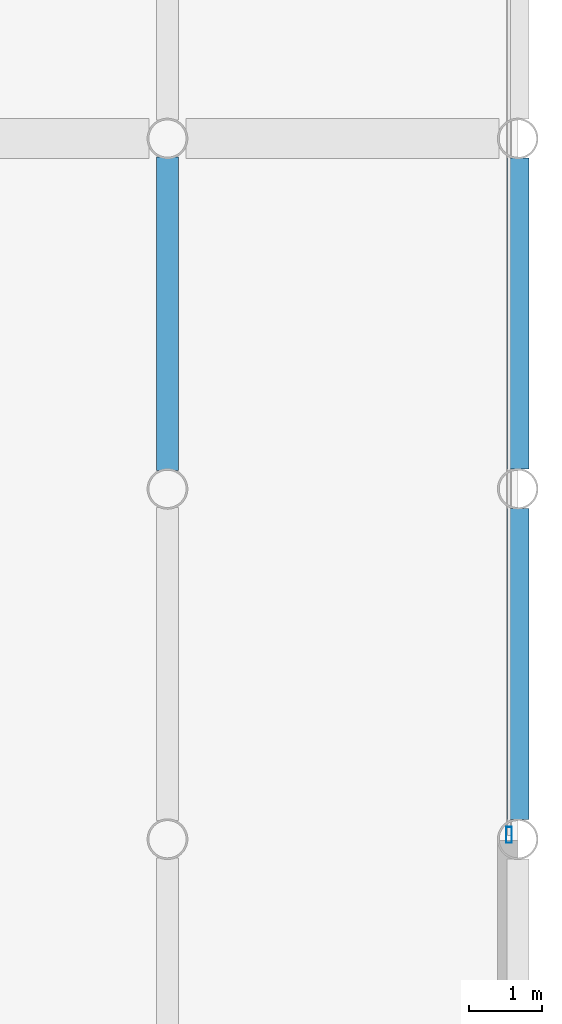
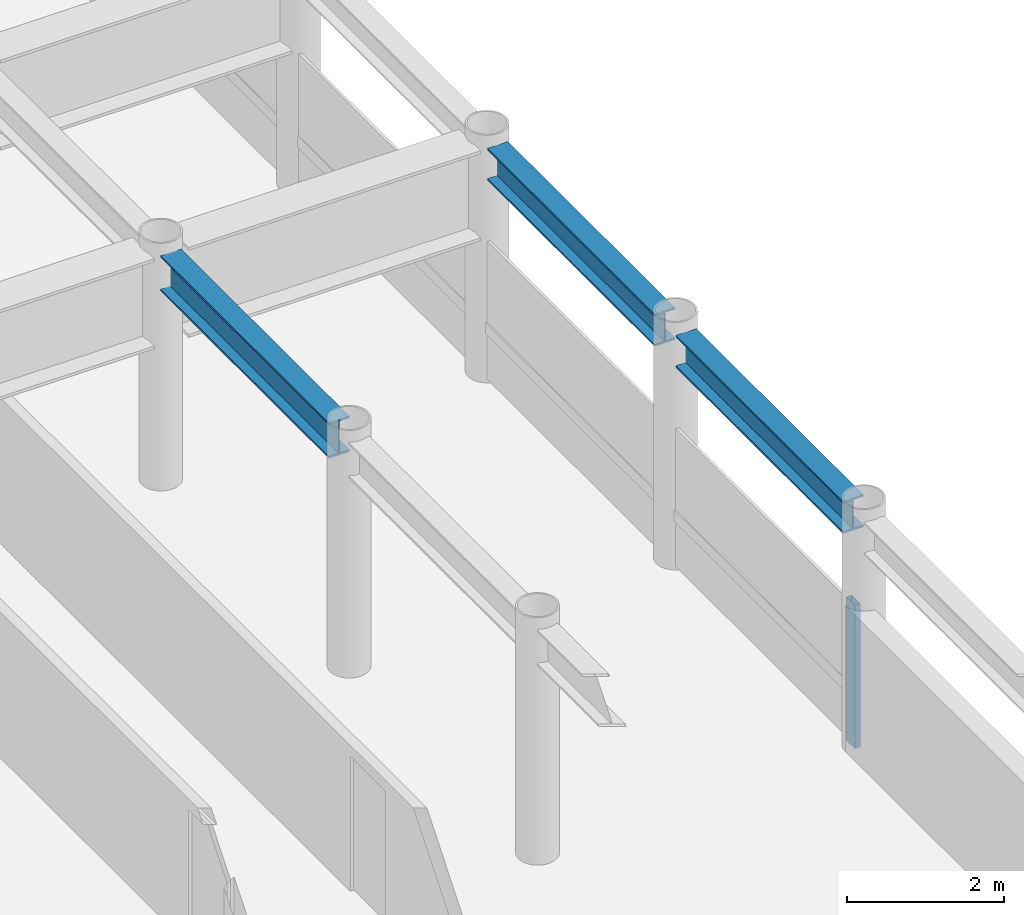
# One storey, part 10 of 26: 3 beams, 1 member, 1 element without a shape of its own.
"""IFC4 building model written with IfcOpenShell, lengths in metres."""

from ifc_helpers import new_model, si_unit, direction, frame, origin, origin_2d, place, context, subcontext, project, spatial, hollow_rectangle, i_section, extrude, material, layer, layer_set, material_profile, profile_set, type_object, element, aggregate, save


model = new_model("IFC4")

# Units and contexts
model_context = context("Model", 3, precision=1e-05, world=origin(), true_north=direction((0.0, 1.0)))
body_context = subcontext(model_context, "Body", "Model", "MODEL_VIEW")
ifc_project = project(units=[si_unit("LENGTHUNIT", "METRE"), si_unit("AREAUNIT", "SQUARE_METRE"), si_unit("VOLUMEUNIT", "CUBIC_METRE"), si_unit("PLANEANGLEUNIT", "RADIAN"), si_unit("MASSUNIT", "GRAM", prefix="KILO")], contexts=[model_context])

# Site, building, storey
site_placement = place(None, origin())
site = spatial("IfcSite", under=ifc_project, at=site_placement, CompositionType="ELEMENT")
building_placement = place(site_placement, origin())
building = spatial("IfcBuilding", under=site, at=building_placement, Name="Kallvorn Hotel Tower", CompositionType="ELEMENT")
storey_placement = place(building_placement, frame((0.0, 0.0, 222.300048828125)))
storey = spatial("IfcBuildingStorey", under=building, at=storey_placement, Name="L55", CompositionType="ELEMENT", Elevation=222.300048828125)

# Beams
ifc_material_1 = material(Name="Structural steel S355JR", Category="steel")
ifc_material_profile_1 = material_profile(ifc_material_1, i_section(OverallWidth=0.300048828125, OverallDepth=0.5, WebThickness=0.014404296875, FlangeThickness=0.028076171875, at=origin_2d()), Name="HE 500 B")
ifc_profile_set_1 = profile_set([ifc_material_profile_1], Name="Structural steel S355JR")
beam_type_1 = type_object("IfcBeamType", Name="BM_HE500B", PredefinedType="SPANDREL", material=ifc_profile_set_1)
for number, where, z_axis, x_axis, name in (
    (1, (33.60009765625, 0.26953125, 3.419921875), (0.0, 1.0, 0.0), (-1.0, 0.0, 0.0), "L56 Perimeter Spandrel 185"),
    (2, (33.60009765625, 5.069580078125, 3.419921875), (0.0, 1.0, 0.0), (-1.0, 0.0, 0.0), "L56 Perimeter Spandrel 186"),
):
    element("IfcBeam", number, at=place(storey_placement, frame(where, z_axis=z_axis, x_axis=x_axis)), inside=storey, type_object=beam_type_1, Name=name, PredefinedType="SPANDREL", context=body_context, shape_type="SweptSolid", body=[
        extrude(i_section(OverallWidth=0.300048828125, OverallDepth=0.5, WebThickness=0.014404296875, FlangeThickness=0.028076171875, at=origin_2d()), origin(), (0.0, 0.0, 1.0), 4.260986328125),
    ])
ifc_material_2 = material(Name="Structural steel S355JR", Category="steel")
ifc_material_profile_2 = material_profile(ifc_material_2, i_section(OverallWidth=0.300048828125, OverallDepth=0.550048828125, WebThickness=0.014892578125, FlangeThickness=0.029052734375, at=origin_2d()), Name="HE 550 B")
ifc_profile_set_2 = profile_set([ifc_material_profile_2], Name="Structural steel S355JR")
beam_type_2 = type_object("IfcBeamType", Name="BM_HE550B", PredefinedType="SPANDREL", material=ifc_profile_set_2)
beam_placement = place(storey_placement, frame((28.800048828125, 5.054443359375, 3.39501953125), z_axis=(0.0, 1.0, 0.0), x_axis=(-1.0, 0.0, 0.0)))
element("IfcBeam", 3, at=beam_placement, inside=storey, type_object=beam_type_2, Name="L56 Primary Y-Girder 147", PredefinedType="SPANDREL", context=body_context, shape_type="SweptSolid", body=[
    extrude(i_section(OverallWidth=0.300048828125, OverallDepth=0.550048828125, WebThickness=0.014892578125, FlangeThickness=0.029052734375, at=origin_2d()), origin(), (0.0, 0.0, 1.0), 4.291015625),
])

# Curtain wall, member
ifc_material_3 = material(Name="Thermally broken black-anodised aluminium AA 6063-T6", Category="aluminium")
ifc_layer = layer(ifc_material_3, 0.22998046875)
ifc_layer_set = layer_set([ifc_layer], Name="CW_SYS_5_HOTEL_HIGH")
curtain_wall_type = type_object("IfcCurtainWallType", Name="CW_SYS_5_HOTEL_HIGH", PredefinedType="USERDEFINED", material=ifc_layer_set)
curtain_wall_placement = place(storey_placement, origin())
curtain_wall = element("IfcCurtainWall", 4, at=curtain_wall_placement, inside=storey, type_object=curtain_wall_type, Name="L55 Dark-Glass Curtain Wall CW-L55-EN", ObjectType="UNITISED CURTAIN WALL", PredefinedType="USERDEFINED")
ifc_material_4 = material(Name="Thermally broken black-anodised aluminium AA 6063-T6", Category="aluminium")
ifc_material_profile_3 = material_profile(ifc_material_4, hollow_rectangle(XDim=0.080078125, YDim=0.219970703125, WallThickness=0.0048828125, at=origin_2d()), Name="MUL 220x80")
ifc_profile_set_3 = profile_set([ifc_material_profile_3], Name="Thermally broken black-anodised aluminium AA 6063-T6")
member_type = type_object("IfcMemberType", Name="CW_MULLION_220x80", PredefinedType="MULLION", material=ifc_profile_set_3)
member_placement = place(storey_placement, frame((33.47998046875, 0.06005859375, 0.02001953125), z_axis=(0.0, 0.0, 1.0), x_axis=(1.0, 0.0, 0.0)))
member = element("IfcMember", 5, at=member_placement, type_object=member_type, Name="CW-L55-EN Mullion 00", PredefinedType="MULLION", context=body_context, shape_type="SweptSolid", body=[
    extrude(hollow_rectangle(XDim=0.080078125, YDim=0.219970703125, WallThickness=0.0048828125, at=origin_2d()), origin(), (0.0, 0.0, 1.0), 2.22998046875),
])
aggregate(curtain_wall, [member])

save(model, "model.ifc")
